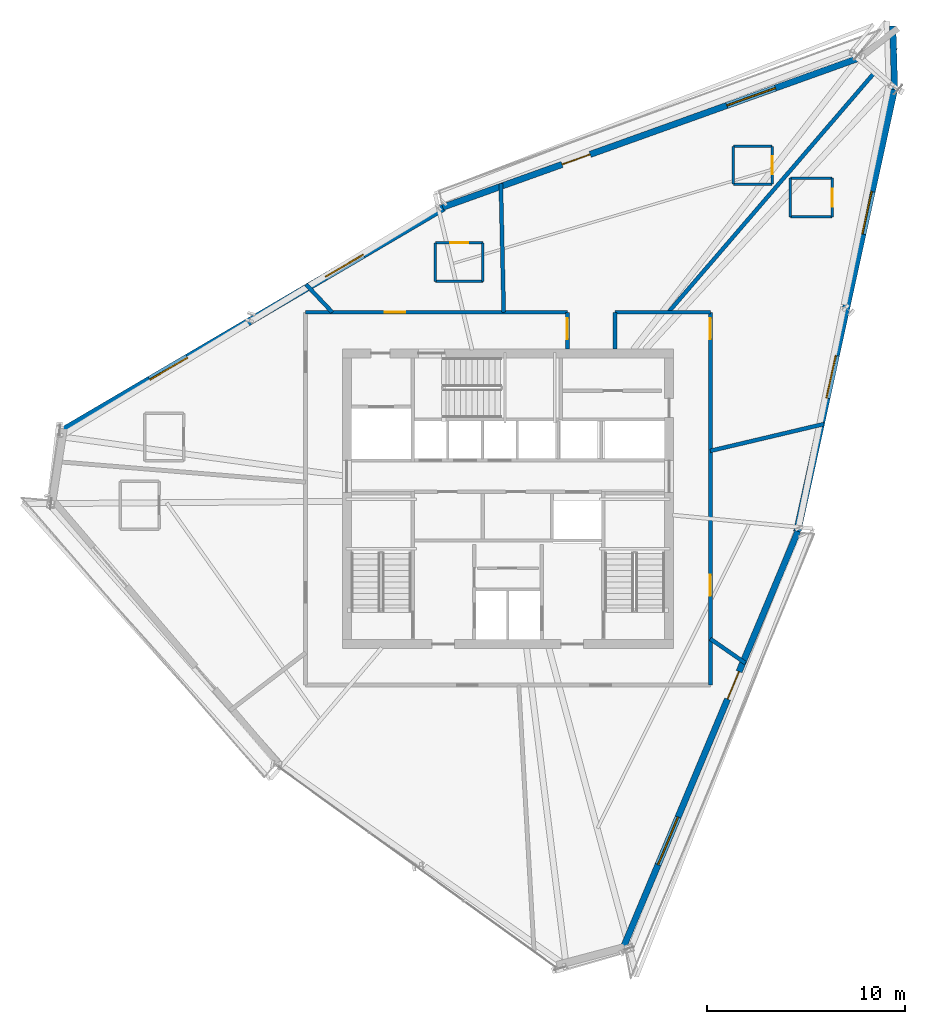
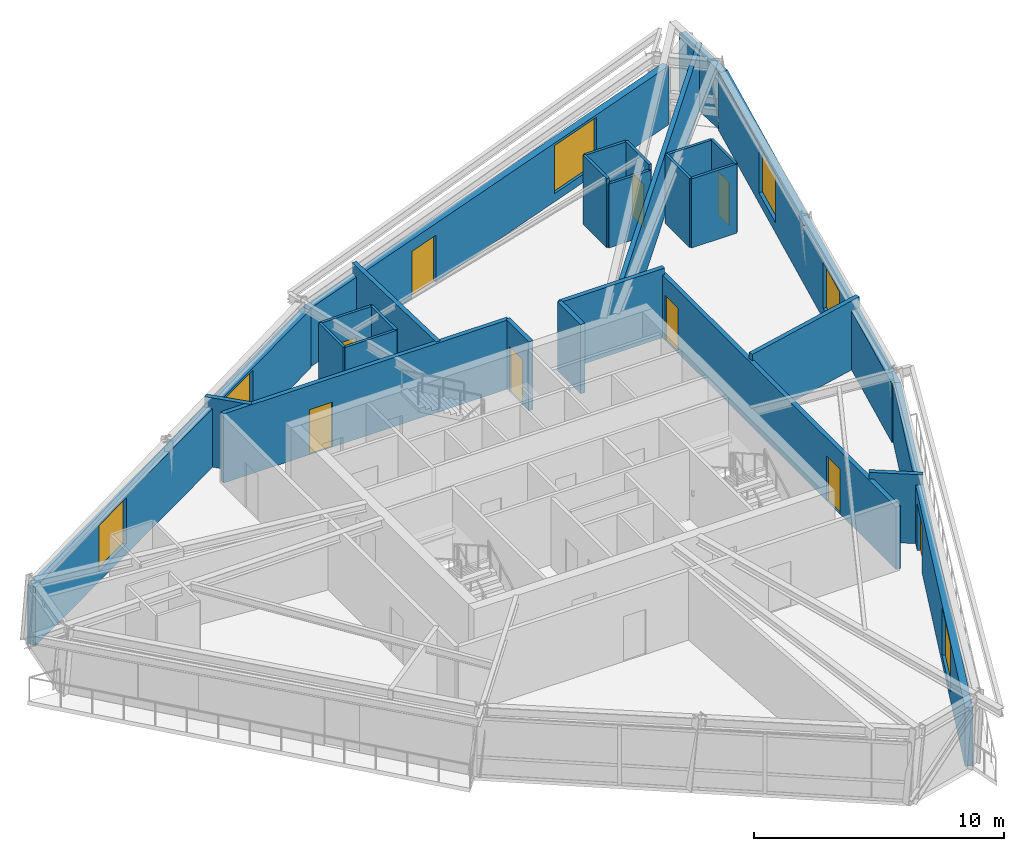
# One storey, part 10 of 14: 27 walls, 9 doors, 6 windows, 15 openings.
"""IFC4 building model written with IfcOpenShell, lengths in metres."""

from ifc_helpers import new_model, si_unit, direction, frame, frame_2d, origin, place, context, subcontext, project, spatial, rectangle, extrude, source, transform, mapped, material, layer, layer_set, type_object, type_shapes, element, fill, save


model = new_model("IFC4")

# Units and contexts
model_context = context("Model", 3, precision=1e-05, world=origin(), true_north=direction((0.0, 1.0)))
body_context = subcontext(model_context, "Body", "Model", "MODEL_VIEW")
ifc_project = project(units=[si_unit("LENGTHUNIT", "METRE"), si_unit("AREAUNIT", "SQUARE_METRE"), si_unit("VOLUMEUNIT", "CUBIC_METRE"), si_unit("PLANEANGLEUNIT", "RADIAN"), si_unit("MASSUNIT", "GRAM", prefix="KILO")], contexts=[model_context])

# Site, building, storey
site_placement = place(None, origin())
site = spatial("IfcSite", under=ifc_project, at=site_placement, CompositionType="ELEMENT")
building_placement = place(site_placement, origin())
building = spatial("IfcBuilding", under=site, at=building_placement, Name="Olszyna Solenne Hotel", CompositionType="ELEMENT")
storey_placement = place(building_placement, frame((0.0, 0.0, 234.5)))
storey = spatial("IfcBuildingStorey", under=building, at=storey_placement, Name="L62", CompositionType="ELEMENT", Elevation=234.5)

# Wall, openings, door, window
ifc_material_1 = material(Name="Precast concrete C45/55", Category="concrete")
ifc_layer_1 = layer(ifc_material_1, 0.320068359375, Name="Precast concrete C45/55")
ifc_layer_set_1 = layer_set([ifc_layer_1], Name="Precast concrete C45/55")
wall_type_1 = type_object("IfcWallType", Name="WL-EX320", PredefinedType="SOLIDWALL", material=ifc_layer_set_1)
wall_1_placement = place(storey_placement, frame((52.617919921875, 24.9541015625, 0.0), z_axis=(0.0, 0.0, 1.0), x_axis=(-0.386897414412, -0.922122763368, 0.0)))
wall_1 = element("IfcWall", 1, at=wall_1_placement, inside=storey, type_object=wall_type_1, Name="Exterior terracotta-precast frame wall WL-EX320 EW-L62-01", PredefinedType="SOLIDWALL", context=body_context, shape_type="SweptSolid", body=[
    extrude(rectangle(XDim=22.868896484375, YDim=0.320068359375, at=frame_2d((11.4345703125, 0.0))), origin(), (0.0, 0.0, 1.0), 2.8720703125),
])
opening_1_placement = place(wall_1_placement, frame((7.66796875, 0.0, 0.0)))
opening_1 = element("IfcOpeningElement", 2, at=opening_1_placement, cuts=wall_1, Name="Opening LDG-L62-3", PredefinedType="OPENING", context=body_context, shape_type="SweptSolid", body=[
    extrude(rectangle(XDim=1.5, YDim=2.300048828125, at=frame_2d((0.75, 1.14990234375))), frame((0.0, 0.169921875, 0.0), z_axis=(0.0, -1.0, 0.0), x_axis=(1.0, 0.0, 0.0)), (0.0, 0.0, 1.0), 0.340087890625),
])
opening_2_placement = place(wall_1_placement, frame((15.623046875, 0.0, 0.402099609375)))
opening_2 = element("IfcOpeningElement", 3, at=opening_2_placement, cuts=wall_1, Name="Opening WN-L62-402", PredefinedType="OPENING", context=body_context, shape_type="SweptSolid", body=[
    extrude(rectangle(XDim=2.60009765625, YDim=2.35009765625, at=frame_2d((1.300048828125, 1.175048828125))), frame((0.0, 0.169921875, 0.0), z_axis=(0.0, -1.0, 0.0), x_axis=(1.0, 0.0, 0.0)), (0.0, 0.0, 1.0), 0.340087890625),
])
ifc_material_2 = material(Name="Anodised bronze aluminium", Category="aluminium")
door_type_1 = type_object("IfcDoorType", Name="DR-LG2", OperationType="DOUBLE_DOOR_SINGLE_SWING", PredefinedType="DOOR", material=ifc_material_2)
shared_shape_1 = source(origin(), body_context, "Body", "SweptSolid", [
    extrude(rectangle(XDim=1.5, YDim=2.300048828125, at=frame_2d((0.75, 1.14990234375))), frame((0.0, 0.02490234375, 0.0), z_axis=(0.0, -1.0, 0.0), x_axis=(1.0, 0.0, 0.0)), (0.0, 0.0, 1.0), 0.050048828125),
])
type_shapes(door_type_1, [shared_shape_1])
door_1_placement = place(opening_1_placement, origin())
door_1 = element("IfcDoor", 4, at=door_1_placement, inside=storey, type_object=door_type_1, Name="Exterior loggia balcony door DR-LG2 LDG-L62-3", OperationType="DOUBLE_DOOR_SINGLE_SWING", OverallHeight=2.300048828125, OverallWidth=1.5, PredefinedType="DOOR", context=body_context, shape_type="MappedRepresentation", body=[
    mapped(shared_shape_1, transform((0.0, 0.0, 0.0), x_axis=(1.0, 0.0, 0.0), y_axis=(0.0, 1.0, 0.0), z_axis=(0.0, 0.0, 1.0), scale=1.0)),
])
fill(opening_1, door_1)
ifc_material_3 = material(Name="Low-E triple glazing", Category="glass")
window_type_1 = type_object("IfcWindowType", Name="WN-ST1", PartitioningType="SINGLE_PANEL", PredefinedType="WINDOW", material=ifc_material_3)
shared_shape_2 = source(origin(), body_context, "Body", "SweptSolid", [
    extrude(rectangle(XDim=2.60009765625, YDim=2.35009765625, at=frame_2d((1.300048828125, 1.175048828125))), frame((0.0, 0.030029296875, 0.0), z_axis=(0.0, -1.0, 0.0), x_axis=(1.0, 0.0, 0.0)), (0.0, 0.0, 1.0), 0.06005859375),
])
type_shapes(window_type_1, [shared_shape_2])
window_1_placement = place(opening_2_placement, origin())
window_1 = element("IfcWindow", 5, at=window_1_placement, inside=storey, type_object=window_type_1, Name="Loggia room window WN-ST1 WN-L62-402", OverallHeight=2.35009765625, OverallWidth=2.60009765625, PartitioningType="SINGLE_PANEL", PredefinedType="WINDOW", context=body_context, shape_type="MappedRepresentation", body=[
    mapped(shared_shape_2, transform((0.0, 0.0, 0.0), x_axis=(1.0, 0.0, 0.0), y_axis=(0.0, 1.0, 0.0), z_axis=(0.0, 0.0, 1.0), scale=1.0)),
])
fill(opening_2, window_1)

wall_2_placement = place(storey_placement, frame((34.7109375, 41.295166015625, 0.0), z_axis=(0.0, 0.0, 1.0), x_axis=(0.941393680714, 0.337309854455, 0.0)))
wall_2 = element("IfcWall", 6, at=wall_2_placement, inside=storey, type_object=wall_type_1, Name="Exterior terracotta-precast frame wall WL-EX320 EW-L62-07", PredefinedType="SOLIDWALL", context=body_context, shape_type="SweptSolid", body=[
    extrude(rectangle(XDim=22.31787109375, YDim=0.320068359375, at=frame_2d((11.158935546875, 0.0))), origin(), (0.0, 0.0, 1.0), 2.8720703125),
])
opening_3_placement = place(wall_2_placement, frame((6.39208984375, 0.0, 0.0)))
opening_3 = element("IfcOpeningElement", 7, at=opening_3_placement, cuts=wall_2, Name="Opening LDG-L62-1", PredefinedType="OPENING", context=body_context, shape_type="SweptSolid", body=[
    extrude(rectangle(XDim=1.5, YDim=2.300048828125, at=frame_2d((0.75, 1.14990234375))), frame((0.0, 0.169921875, 0.0), z_axis=(0.0, -1.0, 0.0), x_axis=(1.0, 0.0, 0.0)), (0.0, 0.0, 1.0), 0.340087890625),
])
opening_4_placement = place(wall_2_placement, frame((15.215087890625, 0.0, 0.402099609375)))
opening_4 = element("IfcOpeningElement", 8, at=opening_4_placement, cuts=wall_2, Name="Opening WN-L62-406", PredefinedType="OPENING", context=body_context, shape_type="SweptSolid", body=[
    extrude(rectangle(XDim=2.60009765625, YDim=2.35009765625, at=frame_2d((1.300048828125, 1.175048828125))), frame((0.0, 0.169921875, 0.0), z_axis=(0.0, -1.0, 0.0), x_axis=(1.0, 0.0, 0.0)), (0.0, 0.0, 1.0), 0.340087890625),
])
door_2_placement = place(opening_3_placement, origin())
door_2 = element("IfcDoor", 9, at=door_2_placement, inside=storey, type_object=door_type_1, Name="Exterior loggia balcony door DR-LG2 LDG-L62-1", OperationType="DOUBLE_DOOR_SINGLE_SWING", OverallHeight=2.300048828125, OverallWidth=1.5, PredefinedType="DOOR", context=body_context, shape_type="MappedRepresentation", body=[
    mapped(shared_shape_1, transform((0.0, 0.0, 0.0), x_axis=(1.0, 0.0, 0.0), y_axis=(0.0, 1.0, 0.0), z_axis=(0.0, 0.0, 1.0), scale=1.0)),
])
fill(opening_3, door_2)
window_2_placement = place(opening_4_placement, origin())
window_2 = element("IfcWindow", 10, at=window_2_placement, inside=storey, type_object=window_type_1, Name="Loggia room window WN-ST1 WN-L62-406", OverallHeight=2.35009765625, OverallWidth=2.60009765625, PartitioningType="SINGLE_PANEL", PredefinedType="WINDOW", context=body_context, shape_type="MappedRepresentation", body=[
    mapped(shared_shape_2, transform((0.0, 0.0, 0.0), x_axis=(1.0, 0.0, 0.0), y_axis=(0.0, 1.0, 0.0), z_axis=(0.0, 0.0, 1.0), scale=1.0)),
])
fill(opening_4, window_2)

# Wall
wall_3_placement = place(storey_placement, frame((57.398193359375, 50.4365234375, 0.0), z_axis=(0.0, 0.0, 1.0), x_axis=(0.029434813094, -0.999566702015, 0.0)))
element("IfcWall", 11, at=wall_3_placement, inside=storey, type_object=wall_type_1, Name="Exterior terracotta-precast frame wall WL-EX320 EW-L62-09", PredefinedType="SOLIDWALL", context=body_context, shape_type="SweptSolid", body=[
    extrude(rectangle(XDim=3.2099609375, YDim=0.320068359375, at=frame_2d((1.60498046875, 0.0))), origin(), (0.0, 0.0, 1.0), 2.8720703125),
])

# Wall, openings, windows
ifc_material_4 = material(Name="Terracotta cladding on precast concrete C45/55", Category="masonry")
ifc_layer_2 = layer(ifc_material_4, 0.3798828125, Name="Terracotta cladding on precast concrete C45/55")
ifc_layer_set_2 = layer_set([ifc_layer_2], Name="Terracotta cladding on precast concrete C45/55")
wall_type_2 = type_object("IfcWallType", Name="WL-EX380", PredefinedType="SOLIDWALL", material=ifc_layer_set_2)
wall_4_placement = place(storey_placement, frame((15.502197265625, 29.990234375, 0.0), z_axis=(0.0, 0.0, 1.0), x_axis=(0.862571881981, 0.505934529772, 0.0)))
wall_4 = element("IfcWall", 12, at=wall_4_placement, inside=storey, type_object=wall_type_2, Name="Exterior terracotta-precast frame wall WL-EX380 EW-L62-06", PredefinedType="SOLIDWALL", context=body_context, shape_type="SweptSolid", body=[
    extrude(rectangle(XDim=22.318115234375, YDim=0.3798828125, at=frame_2d((11.1591796875, 0.0))), origin(), (0.0, 0.0, 1.0), 2.8720703125),
])
opening_5_placement = place(wall_4_placement, frame((5.14892578125, 0.0, 0.501953125)))
opening_5 = element("IfcOpeningElement", 13, at=opening_5_placement, cuts=wall_4, Name="Opening WN-L62-404", PredefinedType="OPENING", context=body_context, shape_type="SweptSolid", body=[
    extrude(rectangle(XDim=2.199951171875, YDim=2.25, at=frame_2d((1.10009765625, 1.125))), frame((0.0, 0.199951171875, 0.0), z_axis=(0.0, -1.0, 0.0), x_axis=(1.0, 0.0, 0.0)), (0.0, 0.0, 1.0), 0.39990234375),
])
opening_6_placement = place(wall_4_placement, frame((15.4189453125, 0.0, 0.501953125)))
opening_6 = element("IfcOpeningElement", 14, at=opening_6_placement, cuts=wall_4, Name="Opening WN-L62-405", PredefinedType="OPENING", context=body_context, shape_type="SweptSolid", body=[
    extrude(rectangle(XDim=2.199951171875, YDim=2.25, at=frame_2d((1.10009765625, 1.125))), frame((0.0, 0.199951171875, 0.0), z_axis=(0.0, -1.0, 0.0), x_axis=(1.0, 0.0, 0.0)), (0.0, 0.0, 1.0), 0.39990234375),
])
window_type_2 = type_object("IfcWindowType", Name="WN-HT2", PartitioningType="SINGLE_PANEL", PredefinedType="WINDOW", material=ifc_material_3)
shared_shape_3 = source(origin(), body_context, "Body", "SweptSolid", [
    extrude(rectangle(XDim=2.199951171875, YDim=2.25, at=frame_2d((1.10009765625, 1.125))), frame((0.0, 0.030029296875, 0.0), z_axis=(0.0, -1.0, 0.0), x_axis=(1.0, 0.0, 0.0)), (0.0, 0.0, 1.0), 0.06005859375),
])
type_shapes(window_type_2, [shared_shape_3])
window_3_placement = place(opening_5_placement, origin())
window_3 = element("IfcWindow", 15, at=window_3_placement, inside=storey, type_object=window_type_2, Name="Exterior facade window WN-HT2 WN-L62-404", OverallHeight=2.25, OverallWidth=2.199951171875, PartitioningType="SINGLE_PANEL", PredefinedType="WINDOW", context=body_context, shape_type="MappedRepresentation", body=[
    mapped(shared_shape_3, transform((0.0, 0.0, 0.0), x_axis=(1.0, 0.0, 0.0), y_axis=(0.0, 1.0, 0.0), z_axis=(0.0, 0.0, 1.0), scale=1.0)),
])
fill(opening_5, window_3)
window_4_placement = place(opening_6_placement, origin())
window_4 = element("IfcWindow", 16, at=window_4_placement, inside=storey, type_object=window_type_2, Name="Exterior facade window WN-HT2 WN-L62-405", OverallHeight=2.25, OverallWidth=2.199951171875, PartitioningType="SINGLE_PANEL", PredefinedType="WINDOW", context=body_context, shape_type="MappedRepresentation", body=[
    mapped(shared_shape_3, transform((0.0, 0.0, 0.0), x_axis=(1.0, 0.0, 0.0), y_axis=(0.0, 1.0, 0.0), z_axis=(0.0, 0.0, 1.0), scale=1.0)),
])
fill(opening_6, window_4)

wall_5_placement = place(storey_placement, frame((57.466796875, 47.2734375, 0.0), z_axis=(0.0, 0.0, 1.0), x_axis=(-0.213695286904, -0.976900365623, 0.0)))
wall_5 = element("IfcWall", 17, at=wall_5_placement, inside=storey, type_object=wall_type_2, Name="Exterior terracotta-precast frame wall WL-EX380 EW-L62-10", PredefinedType="SOLIDWALL", context=body_context, shape_type="SweptSolid", body=[
    extrude(rectangle(XDim=22.868896484375, YDim=0.3798828125, at=frame_2d((11.4345703125, 0.0))), origin(), (0.0, 0.0, 1.0), 2.8720703125),
])
opening_7_placement = place(wall_5_placement, frame((5.302978515625, 0.0, 0.501953125)))
opening_7 = element("IfcOpeningElement", 18, at=opening_7_placement, cuts=wall_5, Name="Opening WN-L62-407", PredefinedType="OPENING", context=body_context, shape_type="SweptSolid", body=[
    extrude(rectangle(XDim=2.199951171875, YDim=2.25, at=frame_2d((1.10009765625, 1.125))), frame((0.0, 0.199951171875, 0.0), z_axis=(0.0, -1.0, 0.0), x_axis=(1.0, 0.0, 0.0)), (0.0, 0.0, 1.0), 0.39990234375),
])
opening_8_placement = place(wall_5_placement, frame((13.76611328125, 0.0, 0.501953125)))
opening_8 = element("IfcOpeningElement", 19, at=opening_8_placement, cuts=wall_5, Name="Opening WN-L62-408", PredefinedType="OPENING", context=body_context, shape_type="SweptSolid", body=[
    extrude(rectangle(XDim=2.199951171875, YDim=2.25, at=frame_2d((1.10009765625, 1.125))), frame((0.0, 0.199951171875, 0.0), z_axis=(0.0, -1.0, 0.0), x_axis=(1.0, 0.0, 0.0)), (0.0, 0.0, 1.0), 0.39990234375),
])
window_5_placement = place(opening_7_placement, origin())
window_5 = element("IfcWindow", 20, at=window_5_placement, inside=storey, type_object=window_type_2, Name="Exterior facade window WN-HT2 WN-L62-407", OverallHeight=2.25, OverallWidth=2.199951171875, PartitioningType="SINGLE_PANEL", PredefinedType="WINDOW", context=body_context, shape_type="MappedRepresentation", body=[
    mapped(shared_shape_3, transform((0.0, 0.0, 0.0), x_axis=(1.0, 0.0, 0.0), y_axis=(0.0, 1.0, 0.0), z_axis=(0.0, 0.0, 1.0), scale=1.0)),
])
fill(opening_7, window_5)
window_6_placement = place(opening_8_placement, origin())
window_6 = element("IfcWindow", 21, at=window_6_placement, inside=storey, type_object=window_type_2, Name="Exterior facade window WN-HT2 WN-L62-408", OverallHeight=2.25, OverallWidth=2.199951171875, PartitioningType="SINGLE_PANEL", PredefinedType="WINDOW", context=body_context, shape_type="MappedRepresentation", body=[
    mapped(shared_shape_3, transform((0.0, 0.0, 0.0), x_axis=(1.0, 0.0, 0.0), y_axis=(0.0, 1.0, 0.0), z_axis=(0.0, 0.0, 1.0), scale=1.0)),
])
fill(opening_8, window_6)

# Wall, opening, door
ifc_material_5 = material(Name="Acoustic gypsum partition", Category="gypsum")
ifc_layer_3 = layer(ifc_material_5, 0.125, Name="Acoustic gypsum partition")
ifc_layer_set_3 = layer_set([ifc_layer_3], Name="Acoustic gypsum partition")
wall_type_3 = type_object("IfcWallType", Name="WL-PT125", PredefinedType="PARTITIONING", material=ifc_layer_set_3)
wall_6_placement = place(storey_placement, frame((51.31689453125, 42.464111328125, 0.0), z_axis=(0.0, 0.0, 1.0), x_axis=(0.0, 1.0, 0.0)))
wall_6 = element("IfcWall", 22, at=wall_6_placement, inside=storey, type_object=wall_type_3, Name="Interior acoustic partition WL-PT125 PW-L62-3434", PredefinedType="PARTITIONING", context=body_context, shape_type="SweptSolid", body=[
    extrude(rectangle(XDim=1.89990234375, YDim=0.125, at=frame_2d((0.949951171875, 0.0))), origin(), (0.0, 0.0, 1.0), 3.3798828125),
])
opening_9_placement = place(wall_6_placement, frame((0.5, 0.0, 0.0)))
opening_9 = element("IfcOpeningElement", 23, at=opening_9_placement, cuts=wall_6, Name="Opening DR-L62-0836", PredefinedType="OPENING", context=body_context, shape_type="SweptSolid", body=[
    extrude(rectangle(XDim=0.89990234375, YDim=2.10009765625, at=frame_2d((0.449951171875, 1.050048828125))), frame((0.0, 0.072509765625, 0.0), z_axis=(0.0, -1.0, 0.0), x_axis=(1.0, 0.0, 0.0)), (0.0, 0.0, 1.0), 0.14501953125),
])
ifc_material_6 = material(Name="Timber hardwood", Category="wood")
door_type_2 = type_object("IfcDoorType", Name="DR-WC1", OperationType="NOTDEFINED", PredefinedType="DOOR", material=ifc_material_6)
shared_shape_4 = source(origin(), body_context, "Body", "SweptSolid", [
    extrude(rectangle(XDim=0.89990234375, YDim=2.10009765625, at=frame_2d((0.449951171875, 1.050048828125))), frame((0.0, 0.02490234375, 0.0), z_axis=(0.0, -1.0, 0.0), x_axis=(1.0, 0.0, 0.0)), (0.0, 0.0, 1.0), 0.050048828125),
])
type_shapes(door_type_2, [shared_shape_4])
door_3_placement = place(opening_9_placement, origin())
door_3 = element("IfcDoor", 24, at=door_3_placement, inside=storey, type_object=door_type_2, Name="En-Suite Bathroom Door DR-L62-0836", OperationType="SINGLE_SWING_LEFT", OverallHeight=2.10009765625, OverallWidth=0.89990234375, PredefinedType="DOOR", context=body_context, shape_type="MappedRepresentation", body=[
    mapped(shared_shape_4, transform((0.0, 0.0, 0.0), x_axis=(1.0, 0.0, 0.0), y_axis=(0.0, 1.0, 0.0), z_axis=(0.0, 0.0, 1.0), scale=1.0)),
])
fill(opening_9, door_3)

# Walls
wall_7_placement = place(storey_placement, frame((51.31689453125, 44.364013671875, 0.0), z_axis=(0.0, 0.0, 1.0), x_axis=(-1.0, 0.0, 0.0)))
element("IfcWall", 25, at=wall_7_placement, inside=storey, type_object=wall_type_3, Name="Interior acoustic partition WL-PT125 PW-L62-3435", PredefinedType="PARTITIONING", context=body_context, shape_type="SweptSolid", body=[
    extrude(rectangle(XDim=1.949951171875, YDim=0.125, at=frame_2d((0.97509765625, 0.0))), origin(), (0.0, 0.0, 1.0), 3.3798828125),
])
wall_8_placement = place(storey_placement, frame((49.366943359375, 44.364013671875, 0.0), z_axis=(0.0, 0.0, 1.0), x_axis=(0.0, -1.0, 0.0)))
element("IfcWall", 26, at=wall_8_placement, inside=storey, type_object=wall_type_3, Name="Interior acoustic partition WL-PT125 PW-L62-3436", PredefinedType="PARTITIONING", context=body_context, shape_type="SweptSolid", body=[
    extrude(rectangle(XDim=1.89990234375, YDim=0.125, at=frame_2d((0.949951171875, 0.0))), origin(), (0.0, 0.0, 1.0), 3.3798828125),
])
wall_9_placement = place(storey_placement, frame((49.366943359375, 42.464111328125, 0.0), z_axis=(0.0, 0.0, 1.0), x_axis=(1.0, 0.0, 0.0)))
element("IfcWall", 27, at=wall_9_placement, inside=storey, type_object=wall_type_3, Name="Interior acoustic partition WL-PT125 PW-L62-3437", PredefinedType="PARTITIONING", context=body_context, shape_type="SweptSolid", body=[
    extrude(rectangle(XDim=1.949951171875, YDim=0.125, at=frame_2d((0.97509765625, 0.0))), origin(), (0.0, 0.0, 1.0), 3.125),
])
wall_10_placement = place(storey_placement, frame((36.739013671875, 37.553955078125, 0.0), z_axis=(0.0, 0.0, 1.0), x_axis=(0.0, 1.0, 0.0)))
element("IfcWall", 28, at=wall_10_placement, inside=storey, type_object=wall_type_3, Name="Interior acoustic partition WL-PT125 PW-L62-3438", PredefinedType="PARTITIONING", context=body_context, shape_type="SweptSolid", body=[
    extrude(rectangle(XDim=1.949951171875, YDim=0.125, at=frame_2d((0.97509765625, 0.0))), origin(), (0.0, 0.0, 1.0), 3.3798828125),
])

# Wall, opening, door
wall_11_placement = place(storey_placement, frame((36.739013671875, 39.50390625, 0.0), z_axis=(0.0, 0.0, 1.0), x_axis=(-1.0, 0.0, 0.0)))
wall_11 = element("IfcWall", 29, at=wall_11_placement, inside=storey, type_object=wall_type_3, Name="Interior acoustic partition WL-PT125 PW-L62-3439", PredefinedType="PARTITIONING", context=body_context, shape_type="SweptSolid", body=[
    extrude(rectangle(XDim=2.39990234375, YDim=0.125, at=frame_2d((1.199951171875, 0.0))), origin(), (0.0, 0.0, 1.0), 3.3798828125),
])
opening_10_placement = place(wall_11_placement, frame((0.75, 0.0, 0.0)))
opening_10 = element("IfcOpeningElement", 30, at=opening_10_placement, cuts=wall_11, Name="Opening DR-L62-0837", PredefinedType="OPENING", context=body_context, shape_type="SweptSolid", body=[
    extrude(rectangle(XDim=0.89990234375, YDim=2.10009765625, at=frame_2d((0.449951171875, 1.050048828125))), frame((0.0, 0.072509765625, 0.0), z_axis=(0.0, -1.0, 0.0), x_axis=(1.0, 0.0, 0.0)), (0.0, 0.0, 1.0), 0.14501953125),
])
door_4_placement = place(opening_10_placement, origin())
door_4 = element("IfcDoor", 31, at=door_4_placement, inside=storey, type_object=door_type_2, Name="En-Suite Bathroom Door DR-L62-0837", OperationType="SINGLE_SWING_RIGHT", OverallHeight=2.10009765625, OverallWidth=0.89990234375, PredefinedType="DOOR", context=body_context, shape_type="MappedRepresentation", body=[
    mapped(shared_shape_4, transform((0.0, 0.0, 0.0), x_axis=(1.0, 0.0, 0.0), y_axis=(0.0, 1.0, 0.0), z_axis=(0.0, 0.0, 1.0), scale=1.0)),
])
fill(opening_10, door_4)

# Walls
wall_12_placement = place(storey_placement, frame((34.339111328125, 39.50390625, 0.0), z_axis=(0.0, 0.0, 1.0), x_axis=(0.0, -1.0, 0.0)))
element("IfcWall", 32, at=wall_12_placement, inside=storey, type_object=wall_type_3, Name="Interior acoustic partition WL-PT125 PW-L62-3440", PredefinedType="PARTITIONING", context=body_context, shape_type="SweptSolid", body=[
    extrude(rectangle(XDim=1.949951171875, YDim=0.125, at=frame_2d((0.97509765625, 0.0))), origin(), (0.0, 0.0, 1.0), 3.3798828125),
])
wall_13_placement = place(storey_placement, frame((34.339111328125, 37.553955078125, 0.0), z_axis=(0.0, 0.0, 1.0), x_axis=(1.0, 0.0, 0.0)))
element("IfcWall", 33, at=wall_13_placement, inside=storey, type_object=wall_type_3, Name="Interior acoustic partition WL-PT125 PW-L62-3441", PredefinedType="PARTITIONING", context=body_context, shape_type="SweptSolid", body=[
    extrude(rectangle(XDim=2.39990234375, YDim=0.125, at=frame_2d((1.199951171875, 0.0))), origin(), (0.0, 0.0, 1.0), 3.3798828125),
])

# Wall, opening, door
wall_14_placement = place(storey_placement, frame((54.337890625, 40.806884765625, 0.0), z_axis=(0.0, 0.0, 1.0), x_axis=(0.0, 1.0, 0.0)))
wall_14 = element("IfcWall", 34, at=wall_14_placement, inside=storey, type_object=wall_type_3, Name="Interior acoustic partition WL-PT125 PW-L62-3450", PredefinedType="PARTITIONING", context=body_context, shape_type="SweptSolid", body=[
    extrude(rectangle(XDim=1.9501953125, YDim=0.125, at=frame_2d((0.97509765625, 0.0))), origin(), (0.0, 0.0, 1.0), 3.3798828125),
])
opening_11_placement = place(wall_14_placement, frame((0.52490234375, 0.0, 0.0)))
opening_11 = element("IfcOpeningElement", 35, at=opening_11_placement, cuts=wall_14, Name="Opening DR-L62-0840", PredefinedType="OPENING", context=body_context, shape_type="SweptSolid", body=[
    extrude(rectangle(XDim=0.89990234375, YDim=2.10009765625, at=frame_2d((0.449951171875, 1.050048828125))), frame((0.0, 0.072509765625, 0.0), z_axis=(0.0, -1.0, 0.0), x_axis=(1.0, 0.0, 0.0)), (0.0, 0.0, 1.0), 0.14501953125),
])
door_5_placement = place(opening_11_placement, origin())
door_5 = element("IfcDoor", 36, at=door_5_placement, inside=storey, type_object=door_type_2, Name="En-Suite Bathroom Door DR-L62-0840", OperationType="SINGLE_SWING_LEFT", OverallHeight=2.10009765625, OverallWidth=0.89990234375, PredefinedType="DOOR", context=body_context, shape_type="MappedRepresentation", body=[
    mapped(shared_shape_4, transform((0.0, 0.0, 0.0), x_axis=(1.0, 0.0, 0.0), y_axis=(0.0, 1.0, 0.0), z_axis=(0.0, 0.0, 1.0), scale=1.0)),
])
fill(opening_11, door_5)

# Walls
wall_15_placement = place(storey_placement, frame((54.337890625, 42.757080078125, 0.0), z_axis=(0.0, 0.0, 1.0), x_axis=(-1.0, 0.0, 0.0)))
element("IfcWall", 37, at=wall_15_placement, inside=storey, type_object=wall_type_3, Name="Interior acoustic partition WL-PT125 PW-L62-3451", PredefinedType="PARTITIONING", context=body_context, shape_type="SweptSolid", body=[
    extrude(rectangle(XDim=2.099853515625, YDim=0.125, at=frame_2d((1.0498046875, 0.0))), origin(), (0.0, 0.0, 1.0), 3.3798828125),
])
wall_16_placement = place(storey_placement, frame((52.238037109375, 42.757080078125, 0.0), z_axis=(0.0, 0.0, 1.0), x_axis=(0.0, -1.0, 0.0)))
element("IfcWall", 38, at=wall_16_placement, inside=storey, type_object=wall_type_3, Name="Interior acoustic partition WL-PT125 PW-L62-3452", PredefinedType="PARTITIONING", context=body_context, shape_type="SweptSolid", body=[
    extrude(rectangle(XDim=1.9501953125, YDim=0.125, at=frame_2d((0.97509765625, 0.0))), origin(), (0.0, 0.0, 1.0), 3.3798828125),
])
wall_17_placement = place(storey_placement, frame((52.238037109375, 40.806884765625, 0.0), z_axis=(0.0, 0.0, 1.0), x_axis=(1.0, 0.0, 0.0)))
element("IfcWall", 39, at=wall_17_placement, inside=storey, type_object=wall_type_3, Name="Interior acoustic partition WL-PT125 PW-L62-3453", PredefinedType="PARTITIONING", context=body_context, shape_type="SweptSolid", body=[
    extrude(rectangle(XDim=2.099853515625, YDim=0.125, at=frame_2d((1.0498046875, 0.0))), origin(), (0.0, 0.0, 1.0), 3.3798828125),
])
ifc_layer_4 = layer(ifc_material_5, 0.199951171875, Name="Acoustic gypsum partition")
ifc_layer_set_4 = layer_set([ifc_layer_4], Name="Acoustic gypsum partition")
wall_type_4 = type_object("IfcWallType", Name="WL-PT200", PredefinedType="PARTITIONING", material=ifc_layer_set_4)
wall_18_placement = place(storey_placement, frame((46.085205078125, 36.0, 0.0), z_axis=(0.0, 0.0, 1.0), x_axis=(0.652105460698, 0.758128266277, 0.0)))
element("IfcWall", 40, at=wall_18_placement, inside=storey, type_object=wall_type_4, Name="Interior acoustic partition WL-PT200 PW-L62-3426", PredefinedType="PARTITIONING", context=body_context, shape_type="SweptSolid", body=[
    extrude(rectangle(XDim=17.597412109375, YDim=0.199951171875, at=frame_2d((8.798828125, 0.0))), origin(), (0.0, 0.0, 1.0), 2.97509765625),
])
wall_19_placement = place(storey_placement, frame((37.78662109375, 36.0, 0.0), z_axis=(0.0, 0.0, 1.0), x_axis=(-0.022666666655, 0.999743078107, 0.0)))
element("IfcWall", 41, at=wall_19_placement, inside=storey, type_object=wall_type_4, Name="Interior acoustic partition WL-PT200 PW-L62-3427", PredefinedType="PARTITIONING", context=body_context, shape_type="SweptSolid", body=[
    extrude(rectangle(XDim=6.484130859375, YDim=0.199951171875, at=frame_2d((3.2421875, 0.0))), origin(), (0.0, 0.0, 1.0), 3.3798828125),
])
wall_20_placement = place(storey_placement, frame((29.141845703125, 36.0, 0.0), z_axis=(0.0, 0.0, 1.0), x_axis=(-0.685811478451, 0.727779235775, 0.0)))
element("IfcWall", 42, at=wall_20_placement, inside=storey, type_object=wall_type_4, Name="Interior acoustic partition WL-PT200 PW-L62-3428", PredefinedType="PARTITIONING", context=body_context, shape_type="SweptSolid", body=[
    extrude(rectangle(XDim=1.925537109375, YDim=0.199951171875, at=frame_2d((0.962890625, 0.0))), origin(), (0.0, 0.0, 1.0), 3.3798828125),
])
wall_21_placement = place(storey_placement, frame((48.199951171875, 19.537109375, 0.0), z_axis=(0.0, 0.0, 1.0), x_axis=(0.822159557719, -0.569257113834, 0.0)))
element("IfcWall", 43, at=wall_21_placement, inside=storey, type_object=wall_type_4, Name="Interior acoustic partition WL-PT200 PW-L62-3432", PredefinedType="PARTITIONING", context=body_context, shape_type="SweptSolid", body=[
    extrude(rectangle(XDim=2.15478515625, YDim=0.199951171875, at=frame_2d((1.077392578125, 0.0))), origin(), (0.0, 0.0, 1.0), 3.3798828125),
])
wall_22_placement = place(storey_placement, frame((48.199951171875, 29.01123046875, 0.0), z_axis=(0.0, 0.0, 1.0), x_axis=(0.973180732473, 0.230041869979, 0.0)))
element("IfcWall", 44, at=wall_22_placement, inside=storey, type_object=wall_type_4, Name="Interior acoustic partition WL-PT200 PW-L62-3433", PredefinedType="PARTITIONING", context=body_context, shape_type="SweptSolid", body=[
    extrude(rectangle(XDim=5.89013671875, YDim=0.199951171875, at=frame_2d((2.945068359375, 0.0))), origin(), (0.0, 0.0, 1.0), 3.3798828125),
])

# Wall, opening, door
wall_23_placement = place(storey_placement, frame((27.800048828125, 36.0, 0.0), z_axis=(0.0, 0.0, 1.0), x_axis=(1.0, 0.0, 0.0)))
wall_23 = element("IfcWall", 45, at=wall_23_placement, inside=storey, type_object=wall_type_4, Name="Interior acoustic partition WL-PT200 PW-L62-3456", PredefinedType="PARTITIONING", context=body_context, shape_type="SweptSolid", body=[
    extrude(rectangle(XDim=13.199951171875, YDim=0.199951171875, at=frame_2d((6.60009765625, 0.0))), origin(), (0.0, 0.0, 1.0), 3.3798828125),
])
opening_12_placement = place(wall_23_placement, frame((3.98291015625, 0.0, 0.0)))
opening_12 = element("IfcOpeningElement", 46, at=opening_12_placement, cuts=wall_23, Name="Opening DR-L62-0845", PredefinedType="OPENING", context=body_context, shape_type="SweptSolid", body=[
    extrude(rectangle(XDim=1.050048828125, YDim=2.199951171875, at=frame_2d((0.52490234375, 1.10009765625))), frame((0.0, 0.10986328125, 0.0), z_axis=(0.0, -1.0, 0.0), x_axis=(1.0, 0.0, 0.0)), (0.0, 0.0, 1.0), 0.219970703125),
])
door_type_3 = type_object("IfcDoorType", Name="DR-RM2", OperationType="NOTDEFINED", PredefinedType="DOOR", material=ifc_material_6)
shared_shape_5 = source(origin(), body_context, "Body", "SweptSolid", [
    extrude(rectangle(XDim=1.050048828125, YDim=2.199951171875, at=frame_2d((0.52490234375, 1.10009765625))), frame((0.0, 0.02490234375, 0.0), z_axis=(0.0, -1.0, 0.0), x_axis=(1.0, 0.0, 0.0)), (0.0, 0.0, 1.0), 0.050048828125),
])
type_shapes(door_type_3, [shared_shape_5])
door_6_placement = place(opening_12_placement, origin())
door_6 = element("IfcDoor", 47, at=door_6_placement, inside=storey, type_object=door_type_3, Name="Deluxe Hotel Guestroom Entrance Door DR-L62-0845", OperationType="SINGLE_SWING_RIGHT", OverallHeight=2.199951171875, OverallWidth=1.050048828125, PredefinedType="DOOR", context=body_context, shape_type="MappedRepresentation", body=[
    mapped(shared_shape_5, transform((0.0, 0.0, 0.0), x_axis=(1.0, 0.0, 0.0), y_axis=(0.0, 1.0, 0.0), z_axis=(0.0, 0.0, 1.0), scale=1.0)),
])
fill(opening_12, door_6)

wall_24_placement = place(storey_placement, frame((41.0, 34.14990234375, 0.0), z_axis=(0.0, 0.0, 1.0), x_axis=(0.0, 1.0, 0.0)))
wall_24 = element("IfcWall", 48, at=wall_24_placement, inside=storey, type_object=wall_type_4, Name="Interior acoustic partition WL-PT200 PW-L62-3457", PredefinedType="PARTITIONING", context=body_context, shape_type="SweptSolid", body=[
    extrude(rectangle(XDim=1.85009765625, YDim=0.199951171875, at=frame_2d((0.925048828125, 0.0))), origin(), (0.0, 0.0, 1.0), 3.3798828125),
])
opening_13_placement = place(wall_24_placement, frame((0.5, 0.0, 0.0)))
opening_13 = element("IfcOpeningElement", 49, at=opening_13_placement, cuts=wall_24, Name="Opening DR-L62-0846", PredefinedType="OPENING", context=body_context, shape_type="SweptSolid", body=[
    extrude(rectangle(XDim=1.050048828125, YDim=2.199951171875, at=frame_2d((0.52490234375, 1.10009765625))), frame((0.0, 0.10986328125, 0.0), z_axis=(0.0, -1.0, 0.0), x_axis=(1.0, 0.0, 0.0)), (0.0, 0.0, 1.0), 0.219970703125),
])
door_7_placement = place(opening_13_placement, origin())
door_7 = element("IfcDoor", 50, at=door_7_placement, inside=storey, type_object=door_type_3, Name="Deluxe Hotel Guestroom Entrance Door DR-L62-0846", OperationType="SINGLE_SWING_LEFT", OverallHeight=2.199951171875, OverallWidth=1.050048828125, PredefinedType="DOOR", context=body_context, shape_type="MappedRepresentation", body=[
    mapped(shared_shape_5, transform((0.0, 0.0, 0.0), x_axis=(1.0, 0.0, 0.0), y_axis=(0.0, 1.0, 0.0), z_axis=(0.0, 0.0, 1.0), scale=1.0)),
])
fill(opening_13, door_7)

# Walls
wall_25_placement = place(storey_placement, frame((43.39990234375, 36.0, 0.0), z_axis=(0.0, 0.0, 1.0), x_axis=(1.0, 0.0, 0.0)))
element("IfcWall", 51, at=wall_25_placement, inside=storey, type_object=wall_type_4, Name="Interior acoustic partition WL-PT200 PW-L62-3458", PredefinedType="PARTITIONING", context=body_context, shape_type="SweptSolid", body=[
    extrude(rectangle(XDim=4.800048828125, YDim=0.199951171875, at=frame_2d((2.39990234375, 0.0))), origin(), (0.0, 0.0, 1.0), 3.3798828125),
])
wall_26_placement = place(storey_placement, frame((43.39990234375, 34.14990234375, 0.0), z_axis=(0.0, 0.0, 1.0), x_axis=(0.0, 1.0, 0.0)))
element("IfcWall", 52, at=wall_26_placement, inside=storey, type_object=wall_type_4, Name="Interior acoustic partition WL-PT200 PW-L62-3459", PredefinedType="PARTITIONING", context=body_context, shape_type="SweptSolid", body=[
    extrude(rectangle(XDim=1.85009765625, YDim=0.199951171875, at=frame_2d((0.925048828125, 0.0))), origin(), (0.0, 0.0, 1.0), 3.3798828125),
])

# Wall, openings, doors
wall_27_placement = place(storey_placement, frame((48.199951171875, 17.199951171875, 0.0), z_axis=(0.0, 0.0, 1.0), x_axis=(0.0, 1.0, 0.0)))
wall_27 = element("IfcWall", 53, at=wall_27_placement, inside=storey, type_object=wall_type_4, Name="Interior acoustic partition WL-PT200 PW-L62-3460", PredefinedType="PARTITIONING", context=body_context, shape_type="SweptSolid", body=[
    extrude(rectangle(XDim=18.800048828125, YDim=0.199951171875, at=frame_2d((9.39990234375, 0.0))), origin(), (0.0, 0.0, 1.0), 3.06494140625),
])
opening_14_placement = place(wall_27_placement, frame((4.507080078125, 0.0, 0.0)))
opening_14 = element("IfcOpeningElement", 54, at=opening_14_placement, cuts=wall_27, Name="Opening DR-L62-0847", PredefinedType="OPENING", context=body_context, shape_type="SweptSolid", body=[
    extrude(rectangle(XDim=1.050048828125, YDim=2.199951171875, at=frame_2d((0.52490234375, 1.10009765625))), frame((0.0, 0.10986328125, 0.0), z_axis=(0.0, -1.0, 0.0), x_axis=(1.0, 0.0, 0.0)), (0.0, 0.0, 1.0), 0.219970703125),
])
opening_15_placement = place(wall_27_placement, frame((17.449951171875, 0.0, 0.0)))
opening_15 = element("IfcOpeningElement", 55, at=opening_15_placement, cuts=wall_27, Name="Opening DR-L62-0848", PredefinedType="OPENING", context=body_context, shape_type="SweptSolid", body=[
    extrude(rectangle(XDim=1.050048828125, YDim=2.199951171875, at=frame_2d((0.52490234375, 1.10009765625))), frame((0.0, 0.10986328125, 0.0), z_axis=(0.0, -1.0, 0.0), x_axis=(1.0, 0.0, 0.0)), (0.0, 0.0, 1.0), 0.219970703125),
])
door_8_placement = place(opening_14_placement, origin())
door_8 = element("IfcDoor", 56, at=door_8_placement, inside=storey, type_object=door_type_3, Name="Private Business Office Entrance Door DR-L62-0847", OperationType="SINGLE_SWING_LEFT", OverallHeight=2.199951171875, OverallWidth=1.050048828125, PredefinedType="DOOR", context=body_context, shape_type="MappedRepresentation", body=[
    mapped(shared_shape_5, transform((0.0, 0.0, 0.0), x_axis=(1.0, 0.0, 0.0), y_axis=(0.0, 1.0, 0.0), z_axis=(0.0, 0.0, 1.0), scale=1.0)),
])
fill(opening_14, door_8)
door_9_placement = place(opening_15_placement, origin())
door_9 = element("IfcDoor", 57, at=door_9_placement, inside=storey, type_object=door_type_3, Name="Executive Reading Salon Entrance Door DR-L62-0848", OperationType="SINGLE_SWING_RIGHT", OverallHeight=2.199951171875, OverallWidth=1.050048828125, PredefinedType="DOOR", context=body_context, shape_type="MappedRepresentation", body=[
    mapped(shared_shape_5, transform((0.0, 0.0, 0.0), x_axis=(1.0, 0.0, 0.0), y_axis=(0.0, 1.0, 0.0), z_axis=(0.0, 0.0, 1.0), scale=1.0)),
])
fill(opening_15, door_9)

save(model, "model.ifc")
